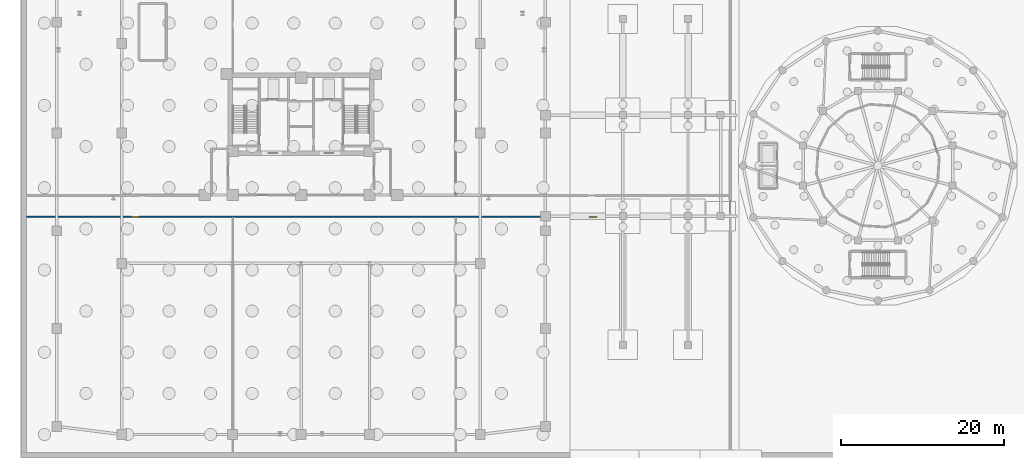
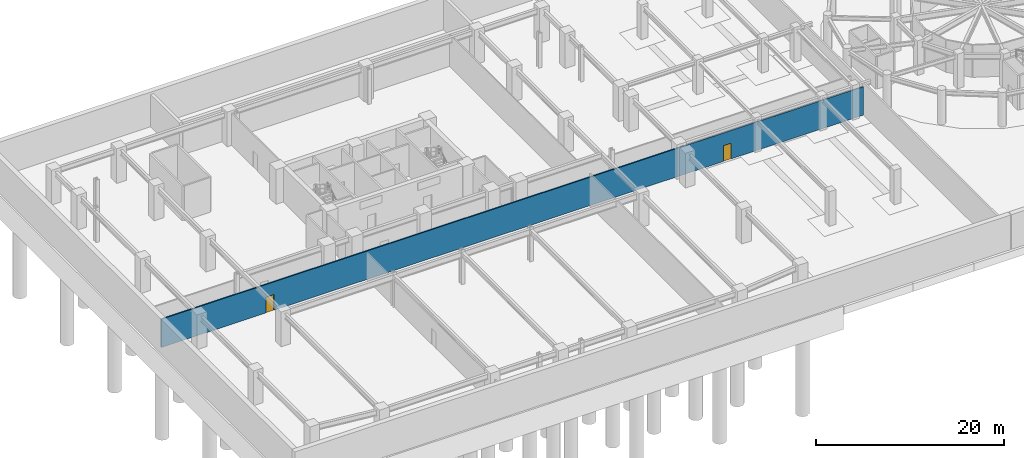
# One storey, part 8 of 15: 2 doors, 1 wall, 2 openings.
"""IFC4 building model written with IfcOpenShell, lengths in metres."""

from ifc_helpers import new_model, si_unit, derived_unit, direction, frame, frame_2d, origin, place, context, subcontext, project, spatial, rectangle, extrude, material, layer, layer_set, type_object, element, fill, save


model = new_model("IFC4")

# Units and contexts
model_context = context("Model", 3, precision=1e-05, world=origin(), true_north=direction((0.0, 1.0)))
body_context = subcontext(model_context, "Body", "Model", "MODEL_VIEW")
ifc_project = project(units=[si_unit("LENGTHUNIT", "METRE"), si_unit("AREAUNIT", "SQUARE_METRE"), si_unit("VOLUMEUNIT", "CUBIC_METRE"), si_unit("PLANEANGLEUNIT", "RADIAN"), si_unit("MASSUNIT", "GRAM", prefix="KILO"), derived_unit("THERMALTRANSMITTANCEUNIT", [(si_unit("POWERUNIT", "WATT"), 1), (si_unit("LENGTHUNIT", "METRE"), -2), (si_unit("THERMODYNAMICTEMPERATUREUNIT", "KELVIN"), -1)])], contexts=[model_context])

# Site, building, storey
site_placement = place(None, origin())
site = spatial("IfcSite", under=ifc_project, at=site_placement, CompositionType="ELEMENT")
building_placement = place(site_placement, origin())
building = spatial("IfcBuilding", under=site, at=building_placement, Name="Korsvarv Bourse and Concert Hall", CompositionType="ELEMENT")
storey_placement = place(building_placement, frame((0.0, 0.0, -9.0)))
storey = spatial("IfcBuildingStorey", under=building, at=storey_placement, Name="B02", CompositionType="ELEMENT", Elevation=-9.0)

# Wall, openings, doors
ifc_material_1 = material(Name="Double-stud fire-rated acoustic partition", Category="gypsum")
ifc_layer = layer(ifc_material_1, 0.159912109375)
ifc_layer_set = layer_set([ifc_layer], Name="Double-stud fire-rated acoustic partition")
wall_type = type_object("IfcWallType", Name="WL-INT-EI60", PredefinedType="PARTITIONING", material=ifc_layer_set)
wall_placement = place(storey_placement, frame((2.302001953125, 29.72509765625, 0.0), z_axis=(0.0, 0.0, 1.0), x_axis=(1.0, 0.0, 0.0)))
wall = element("IfcWall", 1, at=wall_placement, inside=storey, type_object=wall_type, Name="B02 interior partition wall W-B02-BCOR-01", PredefinedType="PARTITIONING", context=body_context, shape_type="SweptSolid", body=[
    extrude(rectangle(XDim=86.27587890625, YDim=0.159912109375, at=frame_2d((43.137939453125, 0.0))), origin(), (0.0, 0.0, 1.0), 3.68994140625),
])
opening_1_placement = place(wall_placement, frame((12.87939453125, 0.0, 0.0)))
opening_1 = element("IfcOpeningElement", 2, at=opening_1_placement, cuts=wall, Name="Opening D-02", PredefinedType="OPENING", context=body_context, shape_type="SweptSolid", body=[
    extrude(rectangle(XDim=0.949951171875, YDim=2.050048828125, at=frame_2d((0.47509765625, 1.02490234375))), frame((0.0, 0.08984375, 0.0), z_axis=(0.0, -1.0, 0.0), x_axis=(1.0, 0.0, 0.0)), (0.0, 0.0, 1.0), 0.179931640625),
])
opening_2_placement = place(wall_placement, frame((69.066162109375, 0.0, 0.0)))
opening_2 = element("IfcOpeningElement", 3, at=opening_2_placement, cuts=wall, Name="Opening D-02", PredefinedType="OPENING", context=body_context, shape_type="SweptSolid", body=[
    extrude(rectangle(XDim=0.949951171875, YDim=2.050048828125, at=frame_2d((0.47509765625, 1.02490234375))), frame((0.0, 0.08984375, 0.0), z_axis=(0.0, -1.0, 0.0), x_axis=(1.0, 0.0, 0.0)), (0.0, 0.0, 1.0), 0.179931640625),
])
ifc_material_2 = material(Name="Timber and steel acoustic fire door", Category="wood")
door_type = type_object("IfcDoorType", Name="DR-FD30", OperationType="NOTDEFINED", PredefinedType="DOOR", material=ifc_material_2)
door_1_placement = place(opening_1_placement, origin())
door_1 = element("IfcDoor", 4, at=door_1_placement, inside=storey, type_object=door_type, Name="B02 interior door DR-B02-BCOR-PLT14", OperationType="SINGLE_SWING_LEFT", OverallHeight=2.050048828125, OverallWidth=0.949951171875, PredefinedType="DOOR", context=body_context, shape_type="SweptSolid", body=[
    extrude(rectangle(XDim=0.949951171875, YDim=2.050048828125, at=frame_2d((0.47509765625, 1.02490234375))), frame((0.0, 0.02490234375, 0.0), z_axis=(0.0, -1.0, 0.0), x_axis=(1.0, 0.0, 0.0)), (0.0, 0.0, 1.0), 0.050048828125),
])
fill(opening_1, door_1)
door_2_placement = place(opening_2_placement, origin())
door_2 = element("IfcDoor", 5, at=door_2_placement, inside=storey, type_object=door_type, Name="B02 interior door DR-B02-BCOR-PLT36", OperationType="SINGLE_SWING_RIGHT", OverallHeight=2.050048828125, OverallWidth=0.949951171875, PredefinedType="DOOR", context=body_context, shape_type="SweptSolid", body=[
    extrude(rectangle(XDim=0.949951171875, YDim=2.050048828125, at=frame_2d((0.47509765625, 1.02490234375))), frame((0.0, 0.02490234375, 0.0), z_axis=(0.0, -1.0, 0.0), x_axis=(1.0, 0.0, 0.0)), (0.0, 0.0, 1.0), 0.050048828125),
])
fill(opening_2, door_2)

save(model, "model.ifc")
